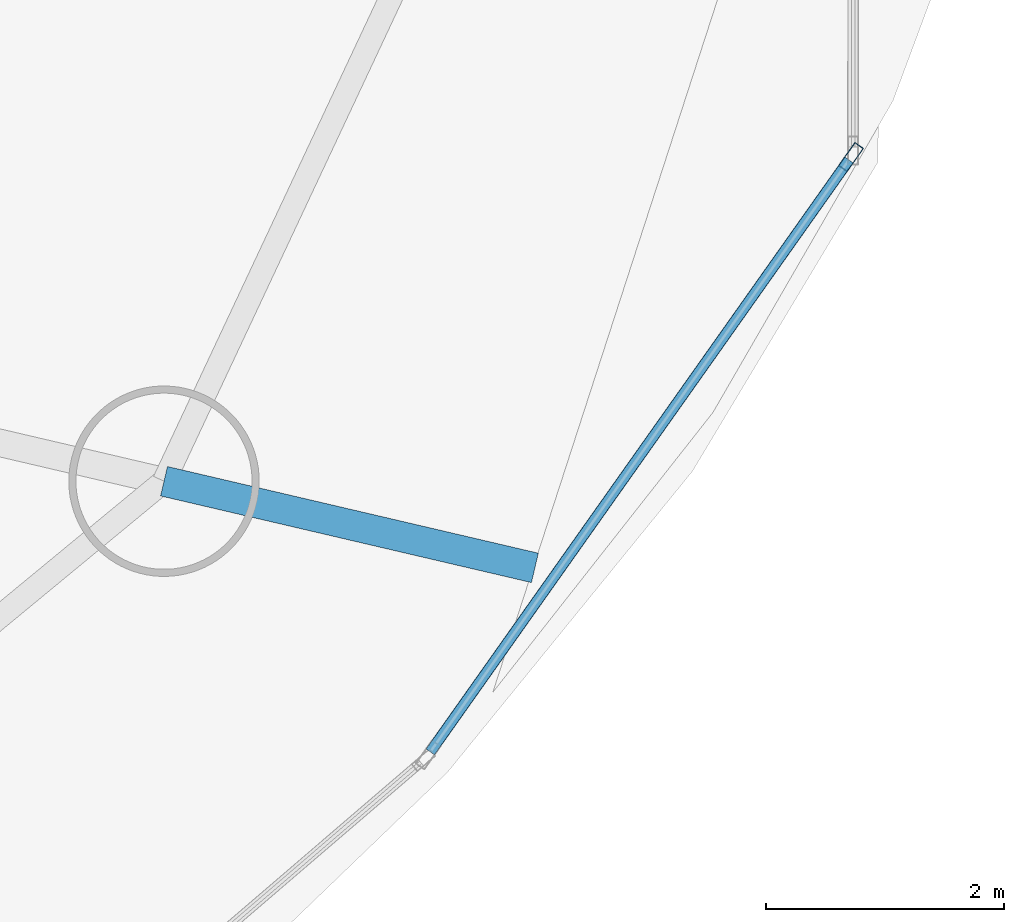
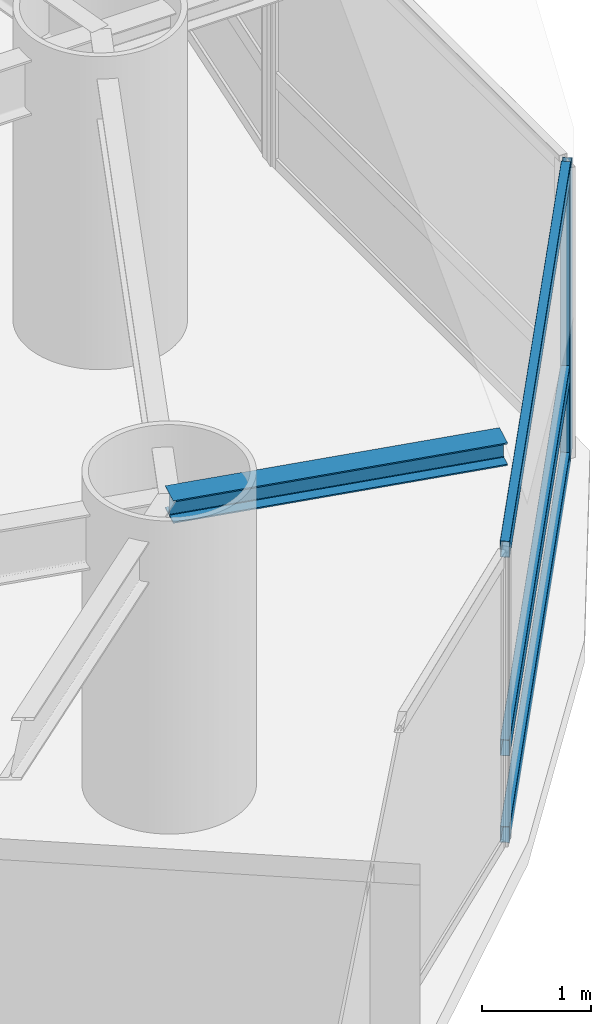
# One storey, part 8 of 25: 4 members, 1 beam, 1 element without a shape of its own.
"""IFC4 building model written with IfcOpenShell, lengths in metres."""

from ifc_helpers import new_model, si_unit, direction, frame, origin, origin_2d, place, context, subcontext, project, spatial, hollow_rectangle, i_section, extrude, material, layer, layer_set, material_profile, profile_set, type_object, element, aggregate, save


model = new_model("IFC4")

# Units and contexts
model_context = context("Model", 3, precision=1e-05, world=origin(), true_north=direction((0.0, 1.0)))
body_context = subcontext(model_context, "Body", "Model", "MODEL_VIEW")
ifc_project = project(units=[si_unit("LENGTHUNIT", "METRE"), si_unit("AREAUNIT", "SQUARE_METRE"), si_unit("VOLUMEUNIT", "CUBIC_METRE"), si_unit("PLANEANGLEUNIT", "RADIAN"), si_unit("MASSUNIT", "GRAM", prefix="KILO")], contexts=[model_context])

# Site, building, storey
site_placement = place(None, origin())
site = spatial("IfcSite", under=ifc_project, at=site_placement, CompositionType="ELEMENT")
building_placement = place(site_placement, origin())
building = spatial("IfcBuilding", under=site, at=building_placement, Name="Bramvorn Convention Spire", CompositionType="ELEMENT")
storey_placement = place(building_placement, frame((0.0, 0.0, 55.39990234375)))
storey = spatial("IfcBuildingStorey", under=building, at=storey_placement, Name="L11", CompositionType="ELEMENT", Elevation=55.39990234375)

# Beam
ifc_material_1 = material(Name="Steel CSA G40.21 Grade 350 (350W)", Category="steel")
ifc_material_profile_1 = material_profile(ifc_material_1, i_section(OverallWidth=0.25390625, OverallDepth=0.2529296875, WebThickness=0.008544921875, FlangeThickness=0.01416015625, FilletRadius=0.011962890625, at=origin_2d()))
ifc_profile_set_1 = profile_set([ifc_material_profile_1], Name="Steel CSA G40.21 Grade 350 (350W) - W250X73")
beam_type = type_object("IfcBeamType", Name="BM-W250X73", PredefinedType="BEAM", material=ifc_profile_set_1)
beam_placement = place(storey_placement, frame((63.35888671875, 15.253662109375, 3.12353515625), z_axis=(0.973778145797, -0.227499720367, 0.0), x_axis=(0.227499720367, 0.973778145797, 0.0)))
element("IfcBeam", 1, at=beam_placement, inside=storey, type_object=beam_type, Name="L11 slab-edge cantilever tip beam MC16", PredefinedType="BEAM", context=body_context, shape_type="SweptSolid", body=[
    extrude(i_section(OverallWidth=0.25390625, OverallDepth=0.2529296875, WebThickness=0.008544921875, FlangeThickness=0.01416015625, FilletRadius=0.011962890625, at=origin_2d()), origin(), (0.0, 0.0, 1.0), 3.2001953125),
])

# Curtain wall, members
ifc_material_2 = material(Name="Anodised Bronze Unitised Curtain Wall", Category="aluminium")
ifc_layer = layer(ifc_material_2, 0.219970703125)
ifc_layer_set = layer_set([ifc_layer], Name="Anodised Bronze Unitised Curtain Wall - CW-SKYGARDEN")
curtain_wall_type = type_object("IfcCurtainWallType", Name="CW-SKYGARDEN", PredefinedType="USERDEFINED", material=ifc_layer_set)
curtain_wall_placement = place(storey_placement, origin())
curtain_wall = element("IfcCurtainWall", 2, at=curtain_wall_placement, inside=storey, type_object=curtain_wall_type, Name="L11 Sky Garden glazed facade 23", ObjectType="WINTER GARDEN GLAZING", PredefinedType="USERDEFINED")
ifc_material_3 = material(Name="Anodised Bronze Aluminium 6063-T6", Category="aluminium")
ifc_material_profile_2 = material_profile(ifc_material_3, hollow_rectangle(XDim=0.090087890625, YDim=0.239990234375, WallThickness=0.00439453125, InnerFilletRadius=0.0009765625, OuterFilletRadius=0.00439453125, at=origin_2d()))
ifc_profile_set_2 = profile_set([ifc_material_profile_2], Name="Anodised Bronze Aluminium 6063-T6 - CWM90X240")
member_type_1 = type_object("IfcMemberType", Name="CW-MUL-220", PredefinedType="MULLION", material=ifc_profile_set_2)
member_1_placement = place(storey_placement, frame((69.13134765625, 17.9775390625, 0.0), z_axis=(0.0, 0.0, 1.0), x_axis=(0.816430817855, -0.577443260985, 0.0)))
member_1 = element("IfcMember", 3, at=member_1_placement, type_object=member_type_1, Name="CW4 mullion 1", PredefinedType="MULLION", context=body_context, shape_type="SweptSolid", body=[
    extrude(hollow_rectangle(XDim=0.090087890625, YDim=0.239990234375, WallThickness=0.00439453125, InnerFilletRadius=0.0009765625, OuterFilletRadius=0.00439453125, at=origin_2d()), origin(), (0.0, 0.0, 1.0), 3.25),
])
ifc_material_profile_3 = material_profile(ifc_material_3, hollow_rectangle(XDim=0.090087890625, YDim=0.179931640625, WallThickness=0.00439453125, InnerFilletRadius=0.0009765625, OuterFilletRadius=0.00439453125, at=origin_2d()))
ifc_profile_set_3 = profile_set([ifc_material_profile_3], Name="Anodised Bronze Aluminium 6063-T6 - CWT90X180")
member_type_2 = type_object("IfcMemberType", Name="CW-TRN-180", PredefinedType="USERDEFINED", material=ifc_profile_set_3)
member_2_placement = place(storey_placement, frame((69.114013671875, 17.953125, 0.030029296875), z_axis=(-0.577452341871, -0.816424395072, 0.0), x_axis=(0.816424395072, -0.577452341871, 0.0)))
member_2 = element("IfcMember", 4, at=member_2_placement, type_object=member_type_2, Name="CW4 transom 1.1", ObjectType="TRANSOM", PredefinedType="USERDEFINED", context=body_context, shape_type="SweptSolid", body=[
    extrude(hollow_rectangle(XDim=0.090087890625, YDim=0.179931640625, WallThickness=0.00439453125, InnerFilletRadius=0.0009765625, OuterFilletRadius=0.00439453125, at=origin_2d()), origin(), (0.0, 0.0, 1.0), 6.092041015625),
])
member_3_placement = place(storey_placement, frame((69.114013671875, 17.953125, 1.0), z_axis=(-0.577452341871, -0.816424395072, 0.0), x_axis=(0.816424395072, -0.577452341871, 0.0)))
member_3 = element("IfcMember", 5, at=member_3_placement, type_object=member_type_2, Name="CW4 transom 1.2", ObjectType="TRANSOM", PredefinedType="USERDEFINED", context=body_context, shape_type="SweptSolid", body=[
    extrude(hollow_rectangle(XDim=0.090087890625, YDim=0.179931640625, WallThickness=0.00439453125, InnerFilletRadius=0.0009765625, OuterFilletRadius=0.00439453125, at=origin_2d()), origin(), (0.0, 0.0, 1.0), 6.092041015625),
])
member_4_placement = place(storey_placement, frame((69.114013671875, 17.953125, 3.22021484375), z_axis=(-0.577452341871, -0.816424395072, 0.0), x_axis=(0.816424395072, -0.577452341871, 0.0)))
member_4 = element("IfcMember", 6, at=member_4_placement, type_object=member_type_2, Name="CW4 transom 1.3", ObjectType="TRANSOM", PredefinedType="USERDEFINED", context=body_context, shape_type="SweptSolid", body=[
    extrude(hollow_rectangle(XDim=0.090087890625, YDim=0.179931640625, WallThickness=0.00439453125, InnerFilletRadius=0.0009765625, OuterFilletRadius=0.00439453125, at=origin_2d()), origin(), (0.0, 0.0, 1.0), 6.092041015625),
])
aggregate(curtain_wall, [member_1, member_2, member_3, member_4])

save(model, "model.ifc")
